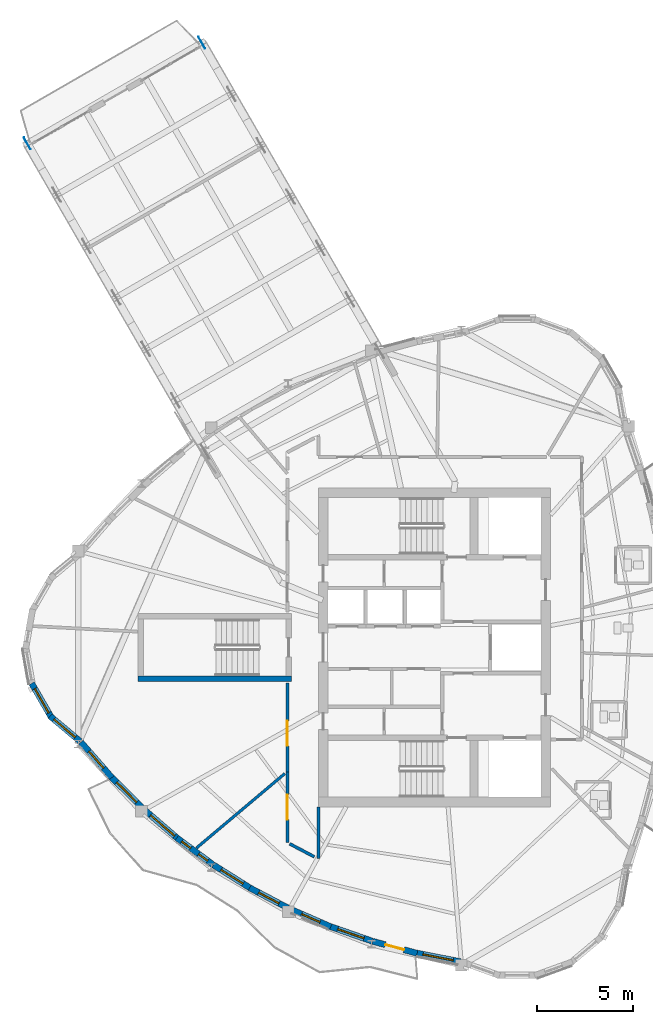
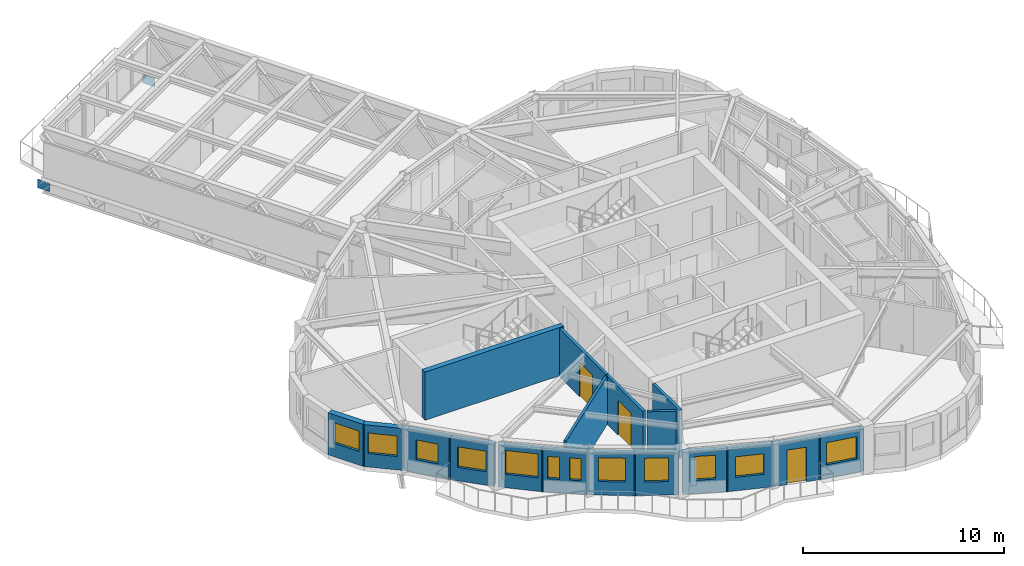
# One storey, part 5 of 14: 18 walls, 12 windows, 3 doors, 2 plates, 15 openings.
"""IFC4 building model written with IfcOpenShell, lengths in metres."""

from ifc_helpers import new_model, si_unit, direction, frame, frame_2d, origin, origin_2d, place, context, subcontext, project, spatial, rectangle, extrude, source, transform, mapped, material, layer, layer_set, type_object, element, fill, save


model = new_model("IFC4")

# Units and contexts
model_context = context("Model", 3, precision=1e-05, world=origin(), true_north=direction((0.0, 1.0)))
body_context = subcontext(model_context, "Body", "Model", "MODEL_VIEW")
ifc_project = project(units=[si_unit("LENGTHUNIT", "METRE"), si_unit("AREAUNIT", "SQUARE_METRE"), si_unit("VOLUMEUNIT", "CUBIC_METRE"), si_unit("PLANEANGLEUNIT", "RADIAN"), si_unit("MASSUNIT", "GRAM", prefix="KILO")], contexts=[model_context])

# Site, building, storey
site_placement = place(None, origin())
site = spatial("IfcSite", under=ifc_project, at=site_placement, CompositionType="ELEMENT")
building_placement = place(site_placement, origin())
building = spatial("IfcBuilding", under=site, at=building_placement, Name="Qafzar Sky-Pleat Residences", CompositionType="ELEMENT")
storey_placement = place(building_placement, frame((0.0, 0.0, 205.199951171875)))
storey = spatial("IfcBuildingStorey", under=building, at=storey_placement, Name="L61", CompositionType="ELEMENT", Elevation=205.199951171875)

# Plates
ifc_material_1 = material(Name="Steel S355", Category="steel")
ifc_layer_1 = layer(ifc_material_1, 0.030029296875)
ifc_layer_set_1 = layer_set([ifc_layer_1], Name="Steel S355")
plate_type = type_object("IfcPlateType", Name="PLT-NODE-SBN2", PredefinedType="SHEET", material=ifc_layer_set_1)
shared_shape_1 = source(origin(), body_context, "Body", "SweptSolid", [
    extrude(rectangle(XDim=0.699951171875, YDim=0.030029296875, at=origin_2d()), origin(), (0.0, 0.0, 1.0), 0.52001953125),
])
for number, where, z_axis, x_axis, name in (
    (1, (9.12890625, 52.256103515625, -0.925048828125), (0.0, 0.0, 1.0), (-0.5, 0.866025403784, 0.0), "SB-5 Truss Node Plate L6"),
    (2, (18.22216796875, 57.506103515625, -0.925048828125), (0.0, 0.0, 1.0), (-0.5, 0.866025403784, 0.0), "SB-5 Truss Node Plate R6"),
):
    element("IfcPlate", number, at=place(storey_placement, frame(where, z_axis=z_axis, x_axis=x_axis)), inside=storey, type_object=plate_type, Name=name, PredefinedType="SHEET", context=body_context, shape_type="MappedRepresentation", body=[
        mapped(shared_shape_1, transform((0.0, 0.0, 0.0), x_axis=(1.0, 0.0, 0.0), y_axis=(0.0, 1.0, 0.0), z_axis=(0.0, 0.0, 1.0), scale=1.0)),
    ])

# Wall, opening, door
ifc_material_2 = material(Name="Acoustic gypsum plasterboard partition", Category="gypsum")
ifc_layer_2 = layer(ifc_material_2, 0.159912109375)
ifc_layer_set_2 = layer_set([ifc_layer_2], Name="Acoustic gypsum plasterboard partition")
wall_type_1 = type_object("IfcWallType", Name="PART-COR-160", PredefinedType="PARTITIONING", material=ifc_layer_set_2)
wall_1_placement = place(storey_placement, frame((22.679931640625, 19.52001953125, 0.0), z_axis=(0.0, 0.0, 1.0), x_axis=(0.0, 1.0, 0.0)))
wall_1 = element("IfcWall", 3, at=wall_1_placement, inside=storey, type_object=wall_type_1, Name="L61 Partition Wall PART-L61-PW-004", PredefinedType="PARTITIONING", context=body_context, shape_type="SweptSolid", body=[
    extrude(rectangle(XDim=4.6298828125, YDim=0.159912109375, at=frame_2d((2.31494140625, 0.0))), origin(), (0.0, 0.0, 1.0), 2.93505859375),
])
opening_1_placement = place(wall_1_placement, frame((1.35693359375, 0.0, 0.0)))
opening_1 = element("IfcOpeningElement", 4, at=opening_1_placement, cuts=wall_1, Name="Opening ID-05", PredefinedType="OPENING", context=body_context, shape_type="SweptSolid", body=[
    extrude(rectangle(XDim=1.300048828125, YDim=2.10009765625, at=frame_2d((0.64990234375, 1.050048828125))), frame((0.0, 0.08984375, 0.0), z_axis=(0.0, -1.0, 0.0), x_axis=(1.0, 0.0, 0.0)), (0.0, 0.0, 1.0), 0.179931640625),
])
ifc_material_3 = material(Name="Timber-faced fire door", Category="wood")
door_type_1 = type_object("IfcDoorType", Name="DR-LNG-1300", OperationType="DOUBLE_DOOR_SINGLE_SWING", PredefinedType="DOOR", material=ifc_material_3)
shared_shape_2 = source(origin(), body_context, "Body", "SweptSolid", [
    extrude(rectangle(XDim=1.300048828125, YDim=2.10009765625, at=frame_2d((0.64990234375, 1.050048828125))), frame((0.0, 0.02490234375, 0.0), z_axis=(0.0, -1.0, 0.0), x_axis=(1.0, 0.0, 0.0)), (0.0, 0.0, 1.0), 0.050048828125),
])
door_1_placement = place(opening_1_placement, origin())
door_1 = element("IfcDoor", 5, at=door_1_placement, inside=storey, type_object=door_type_1, Name="L61 Tutorial Huddle Room Door", OperationType="DOUBLE_DOOR_SINGLE_SWING", OverallHeight=2.10009765625, OverallWidth=1.300048828125, PredefinedType="DOOR", context=body_context, shape_type="MappedRepresentation", body=[
    mapped(shared_shape_2, transform((0.0, 0.0, 0.0), x_axis=(1.0, 0.0, 0.0), y_axis=(0.0, 1.0, 0.0), z_axis=(0.0, 0.0, 1.0), scale=1.0)),
])
fill(opening_1, door_1)

wall_2_placement = place(storey_placement, frame((22.679931640625, 19.5048828125, 0.0), z_axis=(0.0, 0.0, 1.0), x_axis=(0.0, -1.0, 0.0)))
wall_2 = element("IfcWall", 6, at=wall_2_placement, inside=storey, type_object=wall_type_1, Name="L61 Partition Wall PART-L61-PW-007", PredefinedType="PARTITIONING", context=body_context, shape_type="SweptSolid", body=[
    extrude(rectangle(XDim=3.66796875, YDim=0.159912109375, at=frame_2d((1.833984375, 0.0))), origin(), (0.0, 0.0, 1.0), 2.93505859375),
])
opening_2_placement = place(wall_2_placement, frame((1.1669921875, 0.0, 0.0)))
opening_2 = element("IfcOpeningElement", 7, at=opening_2_placement, cuts=wall_2, Name="Opening ID-05", PredefinedType="OPENING", context=body_context, shape_type="SweptSolid", body=[
    extrude(rectangle(XDim=1.300048828125, YDim=2.10009765625, at=frame_2d((0.64990234375, 1.050048828125))), frame((0.0, 0.08984375, 0.0), z_axis=(0.0, -1.0, 0.0), x_axis=(1.0, 0.0, 0.0)), (0.0, 0.0, 1.0), 0.179931640625),
])
door_2_placement = place(opening_2_placement, origin())
door_2 = element("IfcDoor", 8, at=door_2_placement, inside=storey, type_object=door_type_1, Name="L61 Academic Seminar Room Door", OperationType="DOUBLE_DOOR_SINGLE_SWING", OverallHeight=2.10009765625, OverallWidth=1.300048828125, PredefinedType="DOOR", context=body_context, shape_type="MappedRepresentation", body=[
    mapped(shared_shape_2, transform((0.0, 0.0, 0.0), x_axis=(1.0, 0.0, 0.0), y_axis=(0.0, 1.0, 0.0), z_axis=(0.0, 0.0, 1.0), scale=1.0)),
])
fill(opening_2, door_2)

# Walls
wall_3_placement = place(storey_placement, frame((24.300048828125, 15.001953125, 0.0), z_axis=(0.0, 0.0, 1.0), x_axis=(0.0, 1.0, 0.0)))
element("IfcWall", 9, at=wall_3_placement, inside=storey, type_object=wall_type_1, Name="L61 Partition Wall PART-L61-PW-029", PredefinedType="PARTITIONING", context=body_context, shape_type="SweptSolid", body=[
    extrude(rectangle(XDim=2.68994140625, YDim=0.159912109375, at=frame_2d((1.344970703125, 0.0))), origin(), (0.0, 0.0, 1.0), 2.93505859375),
])
wall_4_placement = place(storey_placement, frame((22.804443359375, 15.771240234375, 0.0), z_axis=(0.0, 0.0, 1.0), x_axis=(0.884421402819, -0.4666891709, 0.0)))
element("IfcWall", 10, at=wall_4_placement, inside=storey, type_object=wall_type_1, Name="L61 Partition Wall PART-L61-PW-041", PredefinedType="PARTITIONING", context=body_context, shape_type="SweptSolid", body=[
    extrude(rectangle(XDim=1.451171875, YDim=0.159912109375, at=frame_2d((0.7255859375, 0.0))), origin(), (0.0, 0.0, 1.0), 2.93505859375),
])
ifc_layer_3 = layer(ifc_material_2, 0.14501953125)
ifc_layer_set_3 = layer_set([ifc_layer_3], Name="Acoustic gypsum plasterboard partition")
wall_type_2 = type_object("IfcWallType", Name="PART-UNIT-145", PredefinedType="PARTITIONING", material=ifc_layer_set_3)
wall_5_placement = place(storey_placement, frame((17.9482421875, 15.552978515625, 0.0), z_axis=(0.0, 0.0, 1.0), x_axis=(0.764805901006, 0.644260765364, 0.0)))
element("IfcWall", 11, at=wall_5_placement, inside=storey, type_object=wall_type_2, Name="L61 Partition Wall PART-L61-PW-019", PredefinedType="PARTITIONING", context=body_context, shape_type="SweptSolid", body=[
    extrude(rectangle(XDim=6.01318359375, YDim=0.14501953125, at=frame_2d((3.006591796875, 0.0))), origin(), (0.0, 0.0, 1.0), 2.93505859375),
])

# Wall, opening, window
ifc_material_4 = material(Name="Precast concrete C40/50 with honed Riyadh limestone", Category="concrete")
ifc_layer_4 = layer(ifc_material_4, 0.320068359375)
ifc_layer_set_4 = layer_set([ifc_layer_4], Name="Precast concrete C40/50 with honed Riyadh limestone")
wall_type_3 = type_object("IfcWallType", Name="WALL-EXT-320", PredefinedType="SOLIDWALL", material=ifc_layer_set_4)
wall_6_placement = place(storey_placement, frame((9.364501953125, 24.129150390625, 0.0), z_axis=(0.0, 0.0, 1.0), x_axis=(0.49990781971, -0.866078617559, 0.0)))
wall_6 = element("IfcWall", 12, at=wall_6_placement, inside=storey, type_object=wall_type_3, Name="L61 Limestone Facade Wall 5", PredefinedType="SOLIDWALL", context=body_context, shape_type="SweptSolid", body=[
    extrude(rectangle(XDim=2.09033203125, YDim=0.320068359375, at=frame_2d((1.045166015625, 0.0))), origin(), (0.0, 0.0, 1.0), 2.554931640625),
])
opening_3_placement = place(wall_6_placement, frame((0.3203125, 0.0, 0.820068359375)))
opening_3 = element("IfcOpeningElement", 13, at=opening_3_placement, cuts=wall_6, Name="Opening WN-15", PredefinedType="OPENING", context=body_context, shape_type="SweptSolid", body=[
    extrude(rectangle(XDim=1.449951171875, YDim=1.25, at=frame_2d((0.72509765625, 0.625))), frame((0.0, 0.169921875, 0.0), z_axis=(0.0, -1.0, 0.0), x_axis=(1.0, 0.0, 0.0)), (0.0, 0.0, 1.0), 0.340087890625),
])
ifc_material_5 = material(Name="Solar-control low-E glass in bronze aluminium frame", Category="glass")
window_type_1 = type_object("IfcWindowType", Name="WIN-15", PartitioningType="SINGLE_PANEL", PredefinedType="WINDOW", material=ifc_material_5)
shared_shape_3 = source(origin(), body_context, "Body", "SweptSolid", [
    extrude(rectangle(XDim=1.449951171875, YDim=1.25, at=frame_2d((0.72509765625, 0.625))), frame((0.0, 0.030029296875, 0.0), z_axis=(0.0, -1.0, 0.0), x_axis=(1.0, 0.0, 0.0)), (0.0, 0.0, 1.0), 0.06005859375),
])
window_1_placement = place(opening_3_placement, origin())
window_1 = element("IfcWindow", 14, at=window_1_placement, inside=storey, type_object=window_type_1, Name="L61 Punched Facade Window 05", OverallHeight=1.25, OverallWidth=1.449951171875, PartitioningType="SINGLE_PANEL", PredefinedType="WINDOW", context=body_context, shape_type="MappedRepresentation", body=[
    mapped(shared_shape_3, transform((0.0, 0.0, 0.0), x_axis=(1.0, 0.0, 0.0), y_axis=(0.0, 1.0, 0.0), z_axis=(0.0, 0.0, 1.0), scale=1.0)),
])
fill(opening_3, window_1)

wall_7_placement = place(storey_placement, frame((10.32568359375, 22.418701171875, 0.0), z_axis=(0.0, 0.0, 1.0), x_axis=(0.766099948115, -0.642721455608, 0.0)))
wall_7 = element("IfcWall", 15, at=wall_7_placement, inside=storey, type_object=wall_type_3, Name="L61 Limestone Facade Wall 6", PredefinedType="SOLIDWALL", context=body_context, shape_type="SweptSolid", body=[
    extrude(rectangle(XDim=2.0322265625, YDim=0.320068359375, at=frame_2d((1.01611328125, 0.0))), origin(), (0.0, 0.0, 1.0), 2.554931640625),
])
opening_4_placement = place(wall_7_placement, frame((0.26123046875, 0.0, 0.820068359375)))
opening_4 = element("IfcOpeningElement", 16, at=opening_4_placement, cuts=wall_7, Name="Opening WN-15", PredefinedType="OPENING", context=body_context, shape_type="SweptSolid", body=[
    extrude(rectangle(XDim=1.449951171875, YDim=1.25, at=frame_2d((0.72509765625, 0.625))), frame((0.0, 0.169921875, 0.0), z_axis=(0.0, -1.0, 0.0), x_axis=(1.0, 0.0, 0.0)), (0.0, 0.0, 1.0), 0.340087890625),
])
window_2_placement = place(opening_4_placement, origin())
window_2 = element("IfcWindow", 17, at=window_2_placement, inside=storey, type_object=window_type_1, Name="L61 Punched Facade Window 06", OverallHeight=1.25, OverallWidth=1.449951171875, PartitioningType="SINGLE_PANEL", PredefinedType="WINDOW", context=body_context, shape_type="MappedRepresentation", body=[
    mapped(shared_shape_3, transform((0.0, 0.0, 0.0), x_axis=(1.0, 0.0, 0.0), y_axis=(0.0, 1.0, 0.0), z_axis=(0.0, 0.0, 1.0), scale=1.0)),
])
fill(opening_4, window_2)

wall_8_placement = place(storey_placement, frame((11.9287109375, 21.0673828125, 0.0), z_axis=(0.0, 0.0, 1.0), x_axis=(0.657623588515, -0.753346677054, 0.0)))
wall_8 = element("IfcWall", 18, at=wall_8_placement, inside=storey, type_object=wall_type_3, Name="L61 Limestone Facade Wall 7", PredefinedType="SOLIDWALL", context=body_context, shape_type="SweptSolid", body=[
    extrude(rectangle(XDim=2.45361328125, YDim=0.320068359375, at=frame_2d((1.226806640625, 0.0))), origin(), (0.0, 0.0, 1.0), 2.554931640625),
])
opening_5_placement = place(wall_8_placement, frame((0.641845703125, 0.0, 0.820068359375)))
opening_5 = element("IfcOpeningElement", 19, at=opening_5_placement, cuts=wall_8, Name="Opening WN-16", PredefinedType="OPENING", context=body_context, shape_type="SweptSolid", body=[
    extrude(rectangle(XDim=1.14990234375, YDim=1.199951171875, at=frame_2d((0.574951171875, 0.60009765625))), frame((0.0, 0.169921875, 0.0), z_axis=(0.0, -1.0, 0.0), x_axis=(1.0, 0.0, 0.0)), (0.0, 0.0, 1.0), 0.340087890625),
])
window_type_2 = type_object("IfcWindowType", Name="WIN-16", PartitioningType="SINGLE_PANEL", PredefinedType="WINDOW", material=ifc_material_5)
shared_shape_4 = source(origin(), body_context, "Body", "SweptSolid", [
    extrude(rectangle(XDim=1.14990234375, YDim=1.199951171875, at=frame_2d((0.574951171875, 0.60009765625))), frame((0.0, 0.030029296875, 0.0), z_axis=(0.0, -1.0, 0.0), x_axis=(1.0, 0.0, 0.0)), (0.0, 0.0, 1.0), 0.06005859375),
])
window_3_placement = place(opening_5_placement, origin())
window_3 = element("IfcWindow", 20, at=window_3_placement, inside=storey, type_object=window_type_2, Name="L61 Punched Facade Window 07", OverallHeight=1.199951171875, OverallWidth=1.14990234375, PartitioningType="SINGLE_PANEL", PredefinedType="WINDOW", context=body_context, shape_type="MappedRepresentation", body=[
    mapped(shared_shape_4, transform((0.0, 0.0, 0.0), x_axis=(1.0, 0.0, 0.0), y_axis=(0.0, 1.0, 0.0), z_axis=(0.0, 0.0, 1.0), scale=1.0)),
])
fill(opening_5, window_3)

wall_9_placement = place(storey_placement, frame((13.482666015625, 19.282470703125, 0.0), z_axis=(0.0, 0.0, 1.0), x_axis=(0.7083616261, -0.70584970544, 0.0)))
wall_9 = element("IfcWall", 21, at=wall_9_placement, inside=storey, type_object=wall_type_3, Name="L61 Limestone Facade Wall 8", PredefinedType="SOLIDWALL", context=body_context, shape_type="SweptSolid", body=[
    extrude(rectangle(XDim=2.33251953125, YDim=0.320068359375, at=frame_2d((1.166259765625, 0.0))), origin(), (0.0, 0.0, 1.0), 2.554931640625),
])
opening_6_placement = place(wall_9_placement, frame((0.4462890625, 0.0, 0.820068359375)))
opening_6 = element("IfcOpeningElement", 22, at=opening_6_placement, cuts=wall_9, Name="Opening WN-15", PredefinedType="OPENING", context=body_context, shape_type="SweptSolid", body=[
    extrude(rectangle(XDim=1.449951171875, YDim=1.25, at=frame_2d((0.72509765625, 0.625))), frame((0.0, 0.169921875, 0.0), z_axis=(0.0, -1.0, 0.0), x_axis=(1.0, 0.0, 0.0)), (0.0, 0.0, 1.0), 0.340087890625),
])
window_4_placement = place(opening_6_placement, origin())
window_4 = element("IfcWindow", 23, at=window_4_placement, inside=storey, type_object=window_type_1, Name="L61 Punched Facade Window 08", OverallHeight=1.25, OverallWidth=1.449951171875, PartitioningType="SINGLE_PANEL", PredefinedType="WINDOW", context=body_context, shape_type="MappedRepresentation", body=[
    mapped(shared_shape_3, transform((0.0, 0.0, 0.0), x_axis=(1.0, 0.0, 0.0), y_axis=(0.0, 1.0, 0.0), z_axis=(0.0, 0.0, 1.0), scale=1.0)),
])
fill(opening_6, window_4)

wall_10_placement = place(storey_placement, frame((15.258544921875, 17.521484375, 0.0), z_axis=(0.0, 0.0, 1.0), x_axis=(0.757533377792, -0.652796431923, 0.0)))
wall_10 = element("IfcWall", 24, at=wall_10_placement, inside=storey, type_object=wall_type_3, Name="L61 Limestone Facade Wall 9", PredefinedType="SOLIDWALL", context=body_context, shape_type="SweptSolid", body=[
    extrude(rectangle(XDim=2.293701171875, YDim=0.320068359375, at=frame_2d((1.14697265625, 0.0))), origin(), (0.0, 0.0, 1.0), 2.554931640625),
])
opening_7_placement = place(wall_10_placement, frame((0.39697265625, 0.0, 0.820068359375)))
opening_7 = element("IfcOpeningElement", 25, at=opening_7_placement, cuts=wall_10, Name="Opening WN-02", PredefinedType="OPENING", context=body_context, shape_type="SweptSolid", body=[
    extrude(rectangle(XDim=1.64990234375, YDim=1.449951171875, at=frame_2d((0.824951171875, 0.72509765625))), frame((0.0, 0.169921875, 0.0), z_axis=(0.0, -1.0, 0.0), x_axis=(1.0, 0.0, 0.0)), (0.0, 0.0, 1.0), 0.340087890625),
])
window_type_3 = type_object("IfcWindowType", Name="WIN-02", PartitioningType="DOUBLE_PANEL_VERTICAL", PredefinedType="WINDOW", material=ifc_material_5)
shared_shape_5 = source(origin(), body_context, "Body", "SweptSolid", [
    extrude(rectangle(XDim=1.64990234375, YDim=1.449951171875, at=frame_2d((0.824951171875, 0.72509765625))), frame((0.0, 0.030029296875, 0.0), z_axis=(0.0, -1.0, 0.0), x_axis=(1.0, 0.0, 0.0)), (0.0, 0.0, 1.0), 0.06005859375),
])
window_5_placement = place(opening_7_placement, origin())
window_5 = element("IfcWindow", 26, at=window_5_placement, inside=storey, type_object=window_type_3, Name="L61 Punched Facade Window 09", OverallHeight=1.449951171875, OverallWidth=1.64990234375, PartitioningType="SINGLE_PANEL", PredefinedType="WINDOW", context=body_context, shape_type="MappedRepresentation", body=[
    mapped(shared_shape_5, transform((0.0, 0.0, 0.0), x_axis=(1.0, 0.0, 0.0), y_axis=(0.0, 1.0, 0.0), z_axis=(0.0, 0.0, 1.0), scale=1.0)),
])
fill(opening_7, window_5)

# Wall, openings, windows
wall_11_placement = place(storey_placement, frame((16.927490234375, 16.078857421875, 0.0), z_axis=(0.0, 0.0, 1.0), x_axis=(0.803843896942, -0.594840305754, 0.0)))
wall_11 = element("IfcWall", 27, at=wall_11_placement, inside=storey, type_object=wall_type_3, Name="L61 Limestone Facade Wall 10", PredefinedType="SOLIDWALL", context=body_context, shape_type="SweptSolid", body=[
    extrude(rectangle(XDim=2.33740234375, YDim=0.320068359375, at=frame_2d((1.168701171875, 0.0))), origin(), (0.0, 0.0, 1.0), 2.554931640625),
])
opening_8_placement = place(wall_11_placement, frame((0.3125, 0.0, 0.820068359375)))
opening_8 = element("IfcOpeningElement", 28, at=opening_8_placement, cuts=wall_11, Name="Opening WN-17", PredefinedType="OPENING", context=body_context, shape_type="SweptSolid", body=[
    extrude(rectangle(XDim=0.580078125, YDim=1.35009765625, at=frame_2d((0.2900390625, 0.675048828125))), frame((0.0, 0.169921875, 0.0), z_axis=(0.0, -1.0, 0.0), x_axis=(1.0, 0.0, 0.0)), (0.0, 0.0, 1.0), 0.340087890625),
])
opening_9_placement = place(wall_11_placement, frame((1.411376953125, 0.0, 0.820068359375)))
opening_9 = element("IfcOpeningElement", 29, at=opening_9_placement, cuts=wall_11, Name="Opening WN-17", PredefinedType="OPENING", context=body_context, shape_type="SweptSolid", body=[
    extrude(rectangle(XDim=0.580078125, YDim=1.35009765625, at=frame_2d((0.2900390625, 0.675048828125))), frame((0.0, 0.169921875, 0.0), z_axis=(0.0, -1.0, 0.0), x_axis=(1.0, 0.0, 0.0)), (0.0, 0.0, 1.0), 0.340087890625),
])
window_type_4 = type_object("IfcWindowType", Name="WIN-17", PartitioningType="SINGLE_PANEL", PredefinedType="WINDOW", material=ifc_material_5)
shared_shape_6 = source(origin(), body_context, "Body", "SweptSolid", [
    extrude(rectangle(XDim=0.580078125, YDim=1.35009765625, at=frame_2d((0.2900390625, 0.675048828125))), frame((0.0, 0.030029296875, 0.0), z_axis=(0.0, -1.0, 0.0), x_axis=(1.0, 0.0, 0.0)), (0.0, 0.0, 1.0), 0.06005859375),
])
window_6_placement = place(opening_8_placement, origin())
window_6 = element("IfcWindow", 30, at=window_6_placement, inside=storey, type_object=window_type_4, Name="L61 Punched Facade Window 10", OverallHeight=1.35009765625, OverallWidth=0.580078125, PartitioningType="SINGLE_PANEL", PredefinedType="WINDOW", context=body_context, shape_type="MappedRepresentation", body=[
    mapped(shared_shape_6, transform((0.0, 0.0, 0.0), x_axis=(1.0, 0.0, 0.0), y_axis=(0.0, 1.0, 0.0), z_axis=(0.0, 0.0, 1.0), scale=1.0)),
])
fill(opening_8, window_6)
window_7_placement = place(opening_9_placement, origin())
window_7 = element("IfcWindow", 31, at=window_7_placement, inside=storey, type_object=window_type_4, Name="L61 Punched Facade Window 10-2", OverallHeight=1.35009765625, OverallWidth=0.580078125, PartitioningType="SINGLE_PANEL", PredefinedType="WINDOW", context=body_context, shape_type="MappedRepresentation", body=[
    mapped(shared_shape_6, transform((0.0, 0.0, 0.0), x_axis=(1.0, 0.0, 0.0), y_axis=(0.0, 1.0, 0.0), z_axis=(0.0, 0.0, 1.0), scale=1.0)),
])
fill(opening_9, window_7)

# Wall, opening, window
wall_12_placement = place(storey_placement, frame((18.829345703125, 14.672607421875, 0.0), z_axis=(0.0, 0.0, 1.0), x_axis=(0.846418748285, -0.53251788942, 0.0)))
wall_12 = element("IfcWall", 32, at=wall_12_placement, inside=storey, type_object=wall_type_3, Name="L61 Limestone Facade Wall 11", PredefinedType="SOLIDWALL", context=body_context, shape_type="SweptSolid", body=[
    extrude(rectangle(XDim=2.323974609375, YDim=0.320068359375, at=frame_2d((1.162109375, 0.0))), origin(), (0.0, 0.0, 1.0), 2.554931640625),
])
opening_10_placement = place(wall_12_placement, frame((0.47705078125, 0.0, 0.820068359375)))
opening_10 = element("IfcOpeningElement", 33, at=opening_10_placement, cuts=wall_12, Name="Opening WN-04", PredefinedType="OPENING", context=body_context, shape_type="SweptSolid", body=[
    extrude(rectangle(XDim=1.35009765625, YDim=1.449951171875, at=frame_2d((0.675048828125, 0.72509765625))), frame((0.0, 0.169921875, 0.0), z_axis=(0.0, -1.0, 0.0), x_axis=(1.0, 0.0, 0.0)), (0.0, 0.0, 1.0), 0.340087890625),
])
window_type_5 = type_object("IfcWindowType", Name="WIN-04", PartitioningType="SINGLE_PANEL", PredefinedType="WINDOW", material=ifc_material_5)
shared_shape_7 = source(origin(), body_context, "Body", "SweptSolid", [
    extrude(rectangle(XDim=1.35009765625, YDim=1.449951171875, at=frame_2d((0.675048828125, 0.72509765625))), frame((0.0, 0.030029296875, 0.0), z_axis=(0.0, -1.0, 0.0), x_axis=(1.0, 0.0, 0.0)), (0.0, 0.0, 1.0), 0.06005859375),
])
window_8_placement = place(opening_10_placement, origin())
window_8 = element("IfcWindow", 34, at=window_8_placement, inside=storey, type_object=window_type_5, Name="L61 Punched Facade Window 11", OverallHeight=1.449951171875, OverallWidth=1.35009765625, PartitioningType="SINGLE_PANEL", PredefinedType="WINDOW", context=body_context, shape_type="MappedRepresentation", body=[
    mapped(shared_shape_7, transform((0.0, 0.0, 0.0), x_axis=(1.0, 0.0, 0.0), y_axis=(0.0, 1.0, 0.0), z_axis=(0.0, 0.0, 1.0), scale=1.0)),
])
fill(opening_10, window_8)

wall_13_placement = place(storey_placement, frame((20.72021484375, 13.47900390625, 0.0), z_axis=(0.0, 0.0, 1.0), x_axis=(0.884422006569, -0.466688026734, 0.0)))
wall_13 = element("IfcWall", 35, at=wall_13_placement, inside=storey, type_object=wall_type_3, Name="L61 Limestone Facade Wall 12", PredefinedType="SOLIDWALL", context=body_context, shape_type="SweptSolid", body=[
    extrude(rectangle(XDim=2.254150390625, YDim=0.320068359375, at=frame_2d((1.126953125, 0.0))), origin(), (0.0, 0.0, 1.0), 2.554931640625),
])
opening_11_placement = place(wall_13_placement, frame((0.531982421875, 0.0, 0.820068359375)))
opening_11 = element("IfcOpeningElement", 36, at=opening_11_placement, cuts=wall_13, Name="Opening WN-05", PredefinedType="OPENING", context=body_context, shape_type="SweptSolid", body=[
    extrude(rectangle(XDim=1.199951171875, YDim=1.449951171875, at=frame_2d((0.60009765625, 0.72509765625))), frame((0.0, 0.169921875, 0.0), z_axis=(0.0, -1.0, 0.0), x_axis=(1.0, 0.0, 0.0)), (0.0, 0.0, 1.0), 0.340087890625),
])
window_type_6 = type_object("IfcWindowType", Name="WIN-05", PartitioningType="SINGLE_PANEL", PredefinedType="WINDOW", material=ifc_material_5)
shared_shape_8 = source(origin(), body_context, "Body", "SweptSolid", [
    extrude(rectangle(XDim=1.199951171875, YDim=1.449951171875, at=frame_2d((0.60009765625, 0.72509765625))), frame((0.0, 0.030029296875, 0.0), z_axis=(0.0, -1.0, 0.0), x_axis=(1.0, 0.0, 0.0)), (0.0, 0.0, 1.0), 0.06005859375),
])
window_9_placement = place(opening_11_placement, origin())
window_9 = element("IfcWindow", 37, at=window_9_placement, inside=storey, type_object=window_type_6, Name="L61 Punched Facade Window 12", OverallHeight=1.449951171875, OverallWidth=1.199951171875, PartitioningType="SINGLE_PANEL", PredefinedType="WINDOW", context=body_context, shape_type="MappedRepresentation", body=[
    mapped(shared_shape_8, transform((0.0, 0.0, 0.0), x_axis=(1.0, 0.0, 0.0), y_axis=(0.0, 1.0, 0.0), z_axis=(0.0, 0.0, 1.0), scale=1.0)),
])
fill(opening_11, window_9)

wall_14_placement = place(storey_placement, frame((22.864990234375, 12.354248046875, 0.0), z_axis=(0.0, 0.0, 1.0), x_axis=(0.917071768096, -0.398722174153, 0.0)))
wall_14 = element("IfcWall", 38, at=wall_14_placement, inside=storey, type_object=wall_type_3, Name="L61 Limestone Facade Wall 13", PredefinedType="SOLIDWALL", context=body_context, shape_type="SweptSolid", body=[
    extrude(rectangle(XDim=2.267333984375, YDim=0.320068359375, at=frame_2d((1.1337890625, 0.0))), origin(), (0.0, 0.0, 1.0), 2.554931640625),
])
opening_12_placement = place(wall_14_placement, frame((0.603759765625, 0.0, 0.820068359375)))
opening_12 = element("IfcOpeningElement", 39, at=opening_12_placement, cuts=wall_14, Name="Opening WN-06", PredefinedType="OPENING", context=body_context, shape_type="SweptSolid", body=[
    extrude(rectangle(XDim=1.050048828125, YDim=1.449951171875, at=frame_2d((0.52490234375, 0.72509765625))), frame((0.0, 0.169921875, 0.0), z_axis=(0.0, -1.0, 0.0), x_axis=(1.0, 0.0, 0.0)), (0.0, 0.0, 1.0), 0.340087890625),
])
window_type_7 = type_object("IfcWindowType", Name="WIN-06", PartitioningType="SINGLE_PANEL", PredefinedType="WINDOW", material=ifc_material_5)
shared_shape_9 = source(origin(), body_context, "Body", "SweptSolid", [
    extrude(rectangle(XDim=1.050048828125, YDim=1.449951171875, at=frame_2d((0.52490234375, 0.72509765625))), frame((0.0, 0.030029296875, 0.0), z_axis=(0.0, -1.0, 0.0), x_axis=(1.0, 0.0, 0.0)), (0.0, 0.0, 1.0), 0.06005859375),
])
window_10_placement = place(opening_12_placement, origin())
window_10 = element("IfcWindow", 40, at=window_10_placement, inside=storey, type_object=window_type_7, Name="L61 Punched Facade Window 13", OverallHeight=1.449951171875, OverallWidth=1.050048828125, PartitioningType="SINGLE_PANEL", PredefinedType="WINDOW", context=body_context, shape_type="MappedRepresentation", body=[
    mapped(shared_shape_9, transform((0.0, 0.0, 0.0), x_axis=(1.0, 0.0, 0.0), y_axis=(0.0, 1.0, 0.0), z_axis=(0.0, 0.0, 1.0), scale=1.0)),
])
fill(opening_12, window_10)

wall_15_placement = place(storey_placement, frame((24.86279296875, 11.482421875, 0.0), z_axis=(0.0, 0.0, 1.0), x_axis=(0.944115731475, -0.329614146514, 0.0)))
wall_15 = element("IfcWall", 41, at=wall_15_placement, inside=storey, type_object=wall_type_3, Name="L61 Limestone Facade Wall 14", PredefinedType="SOLIDWALL", context=body_context, shape_type="SweptSolid", body=[
    extrude(rectangle(XDim=2.363525390625, YDim=0.320068359375, at=frame_2d((1.181640625, 0.0))), origin(), (0.0, 0.0, 1.0), 2.554931640625),
])
opening_13_placement = place(wall_15_placement, frame((0.466796875, 0.0, 0.820068359375)))
opening_13 = element("IfcOpeningElement", 42, at=opening_13_placement, cuts=wall_15, Name="Opening WN-15", PredefinedType="OPENING", context=body_context, shape_type="SweptSolid", body=[
    extrude(rectangle(XDim=1.449951171875, YDim=1.25, at=frame_2d((0.72509765625, 0.625))), frame((0.0, 0.169921875, 0.0), z_axis=(0.0, -1.0, 0.0), x_axis=(1.0, 0.0, 0.0)), (0.0, 0.0, 1.0), 0.340087890625),
])
window_11_placement = place(opening_13_placement, origin())
window_11 = element("IfcWindow", 43, at=window_11_placement, inside=storey, type_object=window_type_1, Name="L61 Punched Facade Window 14", OverallHeight=1.25, OverallWidth=1.449951171875, PartitioningType="SINGLE_PANEL", PredefinedType="WINDOW", context=body_context, shape_type="MappedRepresentation", body=[
    mapped(shared_shape_3, transform((0.0, 0.0, 0.0), x_axis=(1.0, 0.0, 0.0), y_axis=(0.0, 1.0, 0.0), z_axis=(0.0, 0.0, 1.0), scale=1.0)),
])
fill(opening_13, window_11)

# Wall, opening, door
wall_16_placement = place(storey_placement, frame((27.121337890625, 10.695068359375, 0.0), z_axis=(0.0, 0.0, 1.0), x_axis=(0.965442888538, -0.26061471365, 0.0)))
wall_16 = element("IfcWall", 44, at=wall_16_placement, inside=storey, type_object=wall_type_3, Name="L61 Limestone Facade Wall 15", PredefinedType="SOLIDWALL", context=body_context, shape_type="SweptSolid", body=[
    extrude(rectangle(XDim=2.40283203125, YDim=0.320068359375, at=frame_2d((1.201416015625, 0.0))), origin(), (0.0, 0.0, 1.0), 2.554931640625),
])
opening_14_placement = place(wall_16_placement, frame((0.69140625, 0.0, 0.0)))
opening_14 = element("IfcOpeningElement", 45, at=opening_14_placement, cuts=wall_16, Name="Opening ED-05", PredefinedType="OPENING", context=body_context, shape_type="SweptSolid", body=[
    extrude(rectangle(XDim=1.0, YDim=2.10009765625, at=frame_2d((0.5, 1.050048828125))), frame((0.0, 0.169921875, 0.0), z_axis=(0.0, -1.0, 0.0), x_axis=(1.0, 0.0, 0.0)), (0.0, 0.0, 1.0), 0.340087890625),
])
ifc_material_6 = material(Name="Glazed bronze aluminium door", Category="aluminium")
door_type_2 = type_object("IfcDoorType", Name="DR-BAL-1000", OperationType="NOTDEFINED", PredefinedType="DOOR", material=ifc_material_6)
shared_shape_10 = source(origin(), body_context, "Body", "SweptSolid", [
    extrude(rectangle(XDim=1.0, YDim=2.10009765625, at=frame_2d((0.5, 1.050048828125))), frame((0.0, 0.02490234375, 0.0), z_axis=(0.0, -1.0, 0.0), x_axis=(1.0, 0.0, 0.0)), (0.0, 0.0, 1.0), 0.050048828125),
])
door_3_placement = place(opening_14_placement, origin())
door_3 = element("IfcDoor", 46, at=door_3_placement, inside=storey, type_object=door_type_2, Name="L61 Glazed Balcony Door 2", OperationType="SINGLE_SWING_LEFT", OverallHeight=2.10009765625, OverallWidth=1.0, PredefinedType="DOOR", context=body_context, shape_type="MappedRepresentation", body=[
    mapped(shared_shape_10, transform((0.0, 0.0, 0.0), x_axis=(1.0, 0.0, 0.0), y_axis=(0.0, 1.0, 0.0), z_axis=(0.0, 0.0, 1.0), scale=1.0)),
])
fill(opening_14, door_3)

# Wall, opening, window
wall_17_placement = place(storey_placement, frame((29.356201171875, 10.088623046875, 0.0), z_axis=(0.0, 0.0, 1.0), x_axis=(0.98122529052, -0.192865054494, 0.0)))
wall_17 = element("IfcWall", 47, at=wall_17_placement, inside=storey, type_object=wall_type_3, Name="L61 Limestone Facade Wall 16", PredefinedType="SOLIDWALL", context=body_context, shape_type="SweptSolid", body=[
    extrude(rectangle(XDim=2.383544921875, YDim=0.320068359375, at=frame_2d((1.19189453125, 0.0))), origin(), (0.0, 0.0, 1.0), 2.554931640625),
])
opening_15_placement = place(wall_17_placement, frame((0.396728515625, 0.0, 0.820068359375)))
opening_15 = element("IfcOpeningElement", 48, at=opening_15_placement, cuts=wall_17, Name="Opening WN-09", PredefinedType="OPENING", context=body_context, shape_type="SweptSolid", body=[
    extrude(rectangle(XDim=1.60009765625, YDim=1.35009765625, at=frame_2d((0.800048828125, 0.675048828125))), frame((0.0, 0.169921875, 0.0), z_axis=(0.0, -1.0, 0.0), x_axis=(1.0, 0.0, 0.0)), (0.0, 0.0, 1.0), 0.340087890625),
])
window_type_8 = type_object("IfcWindowType", Name="WIN-09", PartitioningType="DOUBLE_PANEL_VERTICAL", PredefinedType="WINDOW", material=ifc_material_5)
shared_shape_11 = source(origin(), body_context, "Body", "SweptSolid", [
    extrude(rectangle(XDim=1.60009765625, YDim=1.35009765625, at=frame_2d((0.800048828125, 0.675048828125))), frame((0.0, 0.030029296875, 0.0), z_axis=(0.0, -1.0, 0.0), x_axis=(1.0, 0.0, 0.0)), (0.0, 0.0, 1.0), 0.06005859375),
])
window_12_placement = place(opening_15_placement, origin())
window_12 = element("IfcWindow", 49, at=window_12_placement, inside=storey, type_object=window_type_8, Name="L61 Punched Facade Window 16", OverallHeight=1.35009765625, OverallWidth=1.60009765625, PartitioningType="SINGLE_PANEL", PredefinedType="WINDOW", context=body_context, shape_type="MappedRepresentation", body=[
    mapped(shared_shape_11, transform((0.0, 0.0, 0.0), x_axis=(1.0, 0.0, 0.0), y_axis=(0.0, 1.0, 0.0), z_axis=(0.0, 0.0, 1.0), scale=1.0)),
])
fill(opening_15, window_12)

# Wall
ifc_material_7 = material(Name="Concrete C60/75", Category="concrete")
ifc_layer_5 = layer(ifc_material_7, 0.300048828125)
ifc_layer_set_5 = layer_set([ifc_layer_5], Name="Concrete C60/75")
wall_type_4 = type_object("IfcWallType", Name="WALL-SHEAR-300", PredefinedType="SHEAR", material=ifc_layer_set_5)
wall_18_placement = place(storey_placement, frame((14.89990234375, 24.375, 0.0), z_axis=(0.0, 0.0, 1.0), x_axis=(1.0, 0.0, 0.0)))
element("IfcWall", 50, at=wall_18_placement, inside=storey, type_object=wall_type_4, Name="L61 ST3 wall S", PredefinedType="SHEAR", context=body_context, shape_type="SweptSolid", body=[
    extrude(rectangle(XDim=8.0, YDim=0.300048828125, at=frame_2d((4.0, 0.0))), origin(), (0.0, 0.0, 1.0), 2.93505859375),
])

save(model, "model.ifc")
